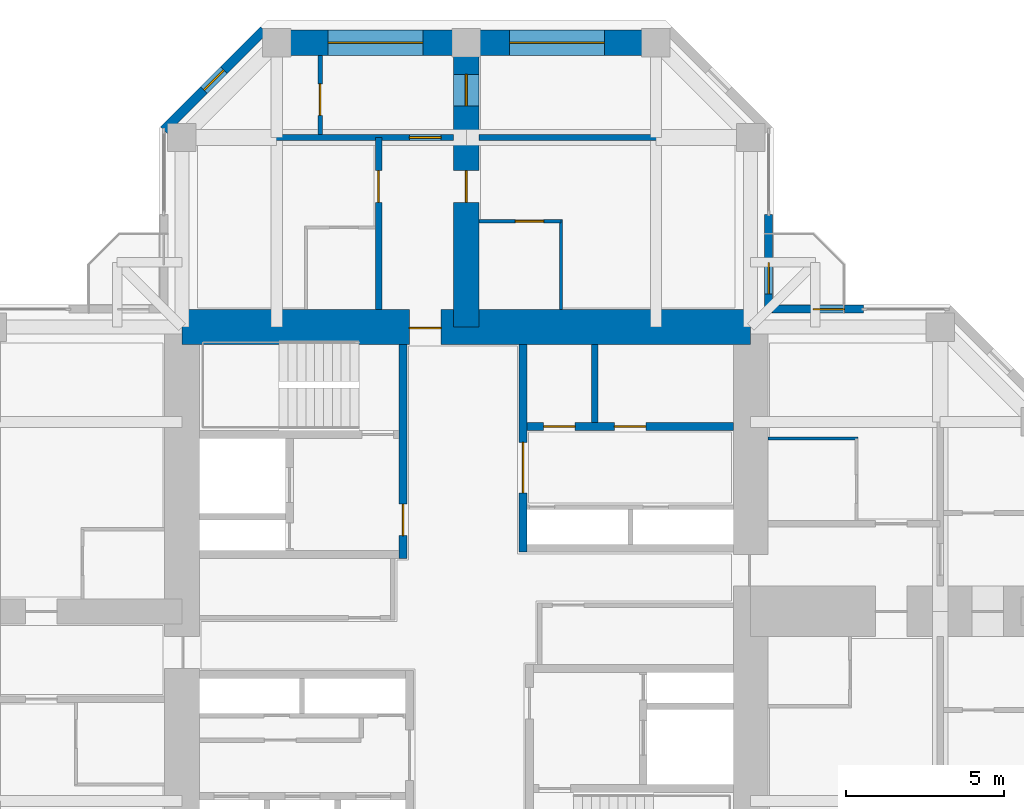
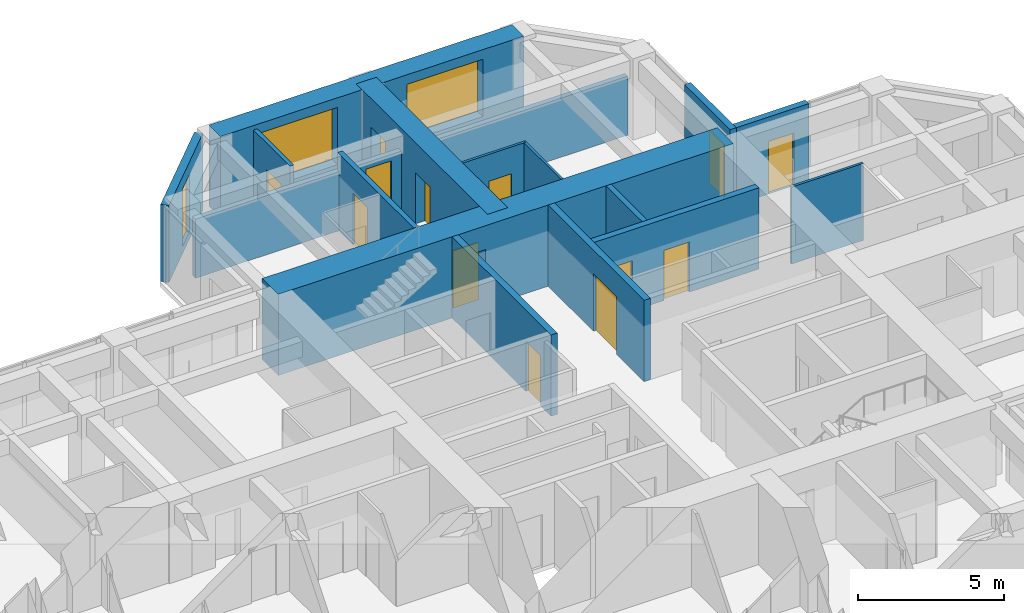
# One storey, part 12 of 14: 17 walls, 13 doors, 3 windows, 16 openings.
"""IFC4 building model written with IfcOpenShell, lengths in metres."""

from ifc_helpers import new_model, si_unit, direction, frame, frame_2d, origin, place, context, subcontext, project, spatial, rectangle, hollow_rectangle, extrude, material, layer, layer_set, constituent, constituent_set, type_object, element, fill, save


model = new_model("IFC4")

# Units and contexts
model_context = context("Model", 3, precision=1e-05, world=origin(), true_north=direction((0.0, 1.0)))
body_context = subcontext(model_context, "Body", "Model", "MODEL_VIEW")
ifc_project = project(units=[si_unit("LENGTHUNIT", "METRE"), si_unit("AREAUNIT", "SQUARE_METRE"), si_unit("VOLUMEUNIT", "CUBIC_METRE"), si_unit("PLANEANGLEUNIT", "RADIAN"), si_unit("MASSUNIT", "GRAM", prefix="KILO")], contexts=[model_context])

# Site, building, storey
site_placement = place(None, origin())
site = spatial("IfcSite", under=ifc_project, at=site_placement, CompositionType="ELEMENT")
building_placement = place(site_placement, origin())
building = spatial("IfcBuilding", under=site, at=building_placement, Name="Torre Cruceta", CompositionType="ELEMENT")
storey_placement = place(building_placement, frame((0.0, 0.0, 172.89990234375)))
storey = spatial("IfcBuildingStorey", under=building, at=storey_placement, Name="L42", CompositionType="ELEMENT", Elevation=172.89990234375)

# Wall
ifc_material_1 = material(Name="Water-resistant plasterboard on steel studs", Category="steel")
ifc_layer_1 = layer(ifc_material_1, 0.10009765625)
ifc_layer_set_1 = layer_set([ifc_layer_1], Name="Water-resistant plasterboard on steel studs")
wall_type_1 = type_object("IfcWallType", Name="BATHROOM WALL 100", PredefinedType="PARTITIONING", material=ifc_layer_set_1)
wall_1_placement = place(storey_placement, frame((3.0, 9.550048828125, 0.0), z_axis=(0.0, 0.0, 1.0), x_axis=(0.0, 1.0, 0.0)))
element("IfcWall", 1, at=wall_1_placement, inside=storey, type_object=wall_type_1, Name="PT4 L42-N-U1RBB", PredefinedType="PARTITIONING", context=body_context, shape_type="SweptSolid", body=[
    extrude(rectangle(XDim=2.849853515625, YDim=0.10009765625, at=frame_2d((1.4248046875, 0.0))), origin(), (0.0, 0.0, 1.0), 3.22021484375),
])

# Wall, opening, door
wall_2_placement = place(storey_placement, frame((3.0, 12.35009765625, 0.0), z_axis=(0.0, 0.0, 1.0), x_axis=(-1.0, 0.0, 0.0)))
wall_2 = element("IfcWall", 2, at=wall_2_placement, inside=storey, type_object=wall_type_1, Name="PT4 L42-N-U1RBS", PredefinedType="PARTITIONING", context=body_context, shape_type="SweptSolid", body=[
    extrude(rectangle(XDim=2.60009765625, YDim=0.10009765625, at=frame_2d((1.300048828125, 0.0))), origin(), (0.0, 0.0, 1.0), 3.22021484375),
])
opening_1_placement = place(wall_2_placement, frame((0.550048828125, 0.0, 0.0)))
opening_1 = element("IfcOpeningElement", 3, at=opening_1_placement, cuts=wall_2, Name="Opening D7", PredefinedType="OPENING", context=body_context, shape_type="SweptSolid", body=[
    extrude(rectangle(XDim=0.89990234375, YDim=2.10009765625, at=frame_2d((0.449951171875, 1.050048828125))), frame((0.0, 0.06005859375, 0.0), z_axis=(0.0, -1.0, 0.0), x_axis=(1.0, 0.0, 0.0)), (0.0, 0.0, 1.0), 0.1201171875),
])
ifc_material_2 = material(Name="Timber door", Category="wood")
door_type_1 = type_object("IfcDoorType", Name="BATHROOM DOOR 900X2100", OperationType="SINGLE_SWING_LEFT", PredefinedType="DOOR", material=ifc_material_2)
door_1_placement = place(opening_1_placement, origin())
door_1 = element("IfcDoor", 4, at=door_1_placement, inside=storey, type_object=door_type_1, Name="D7 L42-N-U1RBS-D1", OperationType="SINGLE_SWING_LEFT", OverallHeight=2.10009765625, OverallWidth=0.89990234375, PredefinedType="DOOR", context=body_context, shape_type="SweptSolid", body=[
    extrude(rectangle(XDim=0.89990234375, YDim=2.10009765625, at=frame_2d((0.449951171875, 1.050048828125))), frame((0.0, 0.02490234375, 0.0), z_axis=(0.0, -1.0, 0.0), x_axis=(1.0, 0.0, 0.0)), (0.0, 0.0, 1.0), 0.050048828125),
])
fill(opening_1, door_1)

# Wall
wall_3_placement = place(storey_placement, frame((9.550048828125, 5.47509765625, 0.0), z_axis=(0.0, 0.0, 1.0), x_axis=(1.0, 0.0, 0.0)))
element("IfcWall", 5, at=wall_3_placement, inside=storey, type_object=wall_type_1, Name="PT4 L42-E-U1LBB", PredefinedType="PARTITIONING", context=body_context, shape_type="SweptSolid", body=[
    extrude(rectangle(XDim=2.849853515625, YDim=0.10009765625, at=frame_2d((1.4248046875, 0.0))), origin(), (0.0, 0.0, 1.0), 3.22021484375),
])

# Wall, opening, door
ifc_material_3 = material(Name="Concrete G60 (fck 60 MPa)", Category="concrete")
ifc_layer_2 = layer(ifc_material_3, 0.25)
ifc_layer_set_2 = layer_set([ifc_layer_2], Name="Concrete G60 (fck 60 MPa)")
wall_type_2 = type_object("IfcWallType", Name="CORE INNER WALL 250 G60", PredefinedType="SHEAR", material=ifc_layer_set_2)
wall_4_placement = place(storey_placement, frame((1.800048828125, 1.875, 0.0), z_axis=(0.0, 0.0, 1.0), x_axis=(0.0, 1.0, 0.0)))
wall_4 = element("IfcWall", 6, at=wall_4_placement, inside=storey, type_object=wall_type_2, Name="CW4 L42 NE-CU", PredefinedType="SHEAR", context=body_context, shape_type="SweptSolid", body=[
    extrude(rectangle(XDim=6.574951171875, YDim=0.25, at=frame_2d((3.28759765625, 0.0))), origin(), (0.0, 0.0, 1.0), 3.400146484375),
])
opening_2_placement = place(wall_4_placement, frame((1.875, 0.0, 0.0)))
opening_2 = element("IfcOpeningElement", 7, at=opening_2_placement, cuts=wall_4, Name="Opening D15", PredefinedType="OPENING", context=body_context, shape_type="SweptSolid", body=[
    extrude(rectangle(XDim=1.60009765625, YDim=2.39990234375, at=frame_2d((0.800048828125, 1.199951171875))), frame((0.0, 0.135009765625, 0.0), z_axis=(0.0, -1.0, 0.0), x_axis=(1.0, 0.0, 0.0)), (0.0, 0.0, 1.0), 0.27001953125),
])
ifc_material_4 = material(Name="Steel DX51D", Category="steel")
ifc_constituent_1 = constituent(ifc_material_4, Name="Leaf and frame")
ifc_material_5 = material(Name="Polyester powder coating", Category="paint")
ifc_constituent_2 = constituent(ifc_material_5, Name="Finish")
ifc_constituent_set_1 = constituent_set(constituents=[ifc_constituent_1, ifc_constituent_2], Name="Steel fire door")
door_type_2 = type_object("IfcDoorType", Name="CORE ROOM DOUBLE DOOR 1600X2400", OperationType="DOUBLE_DOOR_SINGLE_SWING", PredefinedType="DOOR", material=ifc_constituent_set_1)
door_2_placement = place(opening_2_placement, frame((1.60009765625, 0.0, 0.0), z_axis=(0.0, 0.0, 1.0), x_axis=(-1.0, 0.0, 0.0)))
door_2 = element("IfcDoor", 8, at=door_2_placement, inside=storey, type_object=door_type_2, Name="D15 L42 NE-LOBBY", OperationType="DOUBLE_DOOR_SINGLE_SWING", OverallHeight=2.39990234375, OverallWidth=1.60009765625, PredefinedType="DOOR", context=body_context, shape_type="SweptSolid", body=[
    extrude(rectangle(XDim=1.60009765625, YDim=2.39990234375, at=frame_2d((0.800048828125, 1.199951171875))), frame((0.0, 0.025146484375, 0.0), z_axis=(0.0, -1.0, 0.0), x_axis=(1.0, 0.0, 0.0)), (0.0, 0.0, 1.0), 0.050048828125),
])
fill(opening_2, door_2)

# Wall, openings, doors
wall_5_placement = place(storey_placement, frame((1.925048828125, 5.85009765625, 0.0), z_axis=(0.0, 0.0, 1.0), x_axis=(1.0, 0.0, 0.0)))
wall_5 = element("IfcWall", 9, at=wall_5_placement, inside=storey, type_object=wall_type_2, Name="CW4 L42 NE-LV", PredefinedType="SHEAR", context=body_context, shape_type="SweptSolid", body=[
    extrude(rectangle(XDim=6.52490234375, YDim=0.25, at=frame_2d((3.262451171875, 0.0))), origin(), (0.0, 0.0, 1.0), 3.400146484375),
])
opening_3_placement = place(wall_5_placement, frame((0.520751953125, 0.0, 0.0)))
opening_3 = element("IfcOpeningElement", 10, at=opening_3_placement, cuts=wall_5, Name="Opening D3", PredefinedType="OPENING", context=body_context, shape_type="SweptSolid", body=[
    extrude(rectangle(XDim=1.0, YDim=2.10009765625, at=frame_2d((0.5, 1.050048828125))), frame((0.0, 0.135009765625, 0.0), z_axis=(0.0, -1.0, 0.0), x_axis=(1.0, 0.0, 0.0)), (0.0, 0.0, 1.0), 0.27001953125),
])
opening_4_placement = place(wall_5_placement, frame((2.762451171875, 0.0, 0.0)))
opening_4 = element("IfcOpeningElement", 11, at=opening_4_placement, cuts=wall_5, Name="Opening D3", PredefinedType="OPENING", context=body_context, shape_type="SweptSolid", body=[
    extrude(rectangle(XDim=1.0, YDim=2.10009765625, at=frame_2d((0.5, 1.050048828125))), frame((0.0, 0.135009765625, 0.0), z_axis=(0.0, -1.0, 0.0), x_axis=(1.0, 0.0, 0.0)), (0.0, 0.0, 1.0), 0.27001953125),
])
ifc_material_6 = material(Name="Steel DX51D", Category="steel")
ifc_constituent_3 = constituent(ifc_material_6, Name="Leaf and frame")
ifc_material_7 = material(Name="Polyester powder coating", Category="paint")
ifc_constituent_4 = constituent(ifc_material_7, Name="Finish")
ifc_constituent_set_2 = constituent_set(constituents=[ifc_constituent_3, ifc_constituent_4], Name="Steel fire door")
door_type_3 = type_object("IfcDoorType", Name="FIRE DOOR 1000X2100", OperationType="SINGLE_SWING_LEFT", PredefinedType="DOOR", material=ifc_constituent_set_2)
door_3_placement = place(opening_3_placement, origin())
door_3 = element("IfcDoor", 12, at=door_3_placement, inside=storey, type_object=door_type_3, Name="D3 L42 NE-HR1", OperationType="SINGLE_SWING_LEFT", OverallHeight=2.10009765625, OverallWidth=1.0, PredefinedType="DOOR", context=body_context, shape_type="SweptSolid", body=[
    extrude(rectangle(XDim=1.0, YDim=2.10009765625, at=frame_2d((0.5, 1.050048828125))), frame((0.0, 0.02490234375, 0.0), z_axis=(0.0, -1.0, 0.0), x_axis=(1.0, 0.0, 0.0)), (0.0, 0.0, 1.0), 0.050048828125),
])
fill(opening_3, door_3)
door_4_placement = place(opening_4_placement, origin())
door_4 = element("IfcDoor", 13, at=door_4_placement, inside=storey, type_object=door_type_3, Name="D3 L42 NE-HR2", OperationType="SINGLE_SWING_LEFT", OverallHeight=2.10009765625, OverallWidth=1.0, PredefinedType="DOOR", context=body_context, shape_type="SweptSolid", body=[
    extrude(rectangle(XDim=1.0, YDim=2.10009765625, at=frame_2d((0.5, 1.050048828125))), frame((0.0, 0.02490234375, 0.0), z_axis=(0.0, -1.0, 0.0), x_axis=(1.0, 0.0, 0.0)), (0.0, 0.0, 1.0), 0.050048828125),
])
fill(opening_4, door_4)

# Wall, opening, door
wall_6_placement = place(storey_placement, frame((-2.0, 1.675048828125, 0.0), z_axis=(0.0, 0.0, 1.0), x_axis=(0.0, 1.0, 0.0)))
wall_6 = element("IfcWall", 14, at=wall_6_placement, inside=storey, type_object=wall_type_2, Name="CW4 L42 NW-CU", PredefinedType="SHEAR", context=body_context, shape_type="SweptSolid", body=[
    extrude(rectangle(XDim=6.77490234375, YDim=0.25, at=frame_2d((3.387451171875, 0.0))), origin(), (0.0, 0.0, 1.0), 3.400146484375),
])
opening_5_placement = place(wall_6_placement, frame((0.72509765625, 0.0, 0.0)))
opening_5 = element("IfcOpeningElement", 15, at=opening_5_placement, cuts=wall_6, Name="Opening D3", PredefinedType="OPENING", context=body_context, shape_type="SweptSolid", body=[
    extrude(rectangle(XDim=1.0, YDim=2.10009765625, at=frame_2d((0.5, 1.050048828125))), frame((0.0, 0.135009765625, 0.0), z_axis=(0.0, -1.0, 0.0), x_axis=(1.0, 0.0, 0.0)), (0.0, 0.0, 1.0), 0.27001953125),
])
door_5_placement = place(opening_5_placement, origin())
door_5 = element("IfcDoor", 16, at=door_5_placement, inside=storey, type_object=door_type_3, Name="D3 L42 NW-LOBBY", OperationType="SINGLE_SWING_LEFT", OverallHeight=2.10009765625, OverallWidth=1.0, PredefinedType="DOOR", context=body_context, shape_type="SweptSolid", body=[
    extrude(rectangle(XDim=1.0, YDim=2.10009765625, at=frame_2d((0.5, 1.050048828125))), frame((0.0, 0.02490234375, 0.0), z_axis=(0.0, -1.0, 0.0), x_axis=(1.0, 0.0, 0.0)), (0.0, 0.0, 1.0), 0.050048828125),
])
fill(opening_5, door_5)

ifc_material_8 = material(Name="Concrete G60 (fck 60 MPa)", Category="concrete")
ifc_layer_3 = layer(ifc_material_8, 1.10009765625)
ifc_layer_set_3 = layer_set([ifc_layer_3], Name="Concrete G60 (fck 60 MPa)")
wall_type_3 = type_object("IfcWallType", Name="CORE WALL 1100 G60", PredefinedType="SHEAR", material=ifc_layer_set_3)
wall_7_placement = place(storey_placement, frame((9.0, 9.0, 0.0), z_axis=(0.0, 0.0, 1.0), x_axis=(-1.0, 0.0, 0.0)))
wall_7 = element("IfcWall", 17, at=wall_7_placement, inside=storey, type_object=wall_type_3, Name="CW2 L42 CW-N", PredefinedType="SHEAR", context=body_context, shape_type="SweptSolid", body=[
    extrude(rectangle(XDim=18.0, YDim=1.10009765625, at=frame_2d((9.0, 0.0))), origin(), (0.0, 0.0, 1.0), 3.400146484375),
])
opening_6_placement = place(wall_7_placement, frame((9.800048828125, 0.0, 0.0)))
opening_6 = element("IfcOpeningElement", 18, at=opening_6_placement, cuts=wall_7, Name="Opening D4", PredefinedType="OPENING", context=body_context, shape_type="SweptSolid", body=[
    extrude(rectangle(XDim=1.0, YDim=2.39990234375, at=frame_2d((0.5, 1.199951171875))), frame((0.0, 0.56005859375, 0.0), z_axis=(0.0, -1.0, 0.0), x_axis=(1.0, 0.0, 0.0)), (0.0, 0.0, 1.0), 1.1201171875),
])
ifc_material_9 = material(Name="Steel DX51D", Category="steel")
ifc_constituent_5 = constituent(ifc_material_9, Name="Leaf and frame")
ifc_material_10 = material(Name="Polyester powder coating", Category="paint")
ifc_constituent_6 = constituent(ifc_material_10, Name="Finish")
ifc_constituent_set_3 = constituent_set(constituents=[ifc_constituent_5, ifc_constituent_6], Name="Steel fire door")
door_type_4 = type_object("IfcDoorType", Name="CORE ARM DOOR 1000X2400", OperationType="SINGLE_SWING_RIGHT", PredefinedType="DOOR", material=ifc_constituent_set_3)
door_6_placement = place(opening_6_placement, origin())
door_6 = element("IfcDoor", 19, at=door_6_placement, inside=storey, type_object=door_type_4, Name="D4 L42 CW-N", OperationType="SINGLE_SWING_RIGHT", OverallHeight=2.39990234375, OverallWidth=1.0, PredefinedType="DOOR", context=body_context, shape_type="SweptSolid", body=[
    extrude(rectangle(XDim=1.0, YDim=2.39990234375, at=frame_2d((0.5, 1.199951171875))), frame((0.0, 0.05517578125, 0.0), z_axis=(0.0, -1.0, 0.0), x_axis=(1.0, 0.0, 0.0)), (0.0, 0.0, 1.0), 0.050048828125),
])
fill(opening_6, door_6)

ifc_material_11 = material(Name="Concrete G25 (fck 25 MPa)", Category="concrete")
ifc_layer_4 = layer(ifc_material_11, 0.199951171875)
ifc_layer_set_4 = layer_set([ifc_layer_4], Name="Concrete G25 (fck 25 MPa)")
wall_type_4 = type_object("IfcWallType", Name="CORRIDOR WALL 200", PredefinedType="SOLIDWALL", material=ifc_layer_set_4)
wall_8_placement = place(storey_placement, frame((-2.77490234375, 9.550048828125, 0.0), z_axis=(0.0, 0.0, 1.0), x_axis=(0.0, 1.0, 0.0)))
wall_8 = element("IfcWall", 20, at=wall_8_placement, inside=storey, type_object=wall_type_4, Name="PT3 L42-N-CL", PredefinedType="SOLIDWALL", context=body_context, shape_type="SweptSolid", body=[
    extrude(rectangle(XDim=5.449951171875, YDim=0.199951171875, at=frame_2d((2.72509765625, 0.0))), origin(), (0.0, 0.0, 1.0), 3.22021484375),
])
opening_7_placement = place(wall_8_placement, frame((3.39990234375, 0.0, 0.0)))
opening_7 = element("IfcOpeningElement", 21, at=opening_7_placement, cuts=wall_8, Name="Opening D6", PredefinedType="OPENING", context=body_context, shape_type="SweptSolid", body=[
    extrude(rectangle(XDim=1.0, YDim=2.14990234375, at=frame_2d((0.5, 1.074951171875))), frame((0.0, 0.10986328125, 0.0), z_axis=(0.0, -1.0, 0.0), x_axis=(1.0, 0.0, 0.0)), (0.0, 0.0, 1.0), 0.219970703125),
])
ifc_material_12 = material(Name="Timber fire door", Category="wood")
door_type_5 = type_object("IfcDoorType", Name="UNIT ENTRANCE DOOR 1000X2150", OperationType="SINGLE_SWING_LEFT", PredefinedType="DOOR", material=ifc_material_12)
door_7_placement = place(opening_7_placement, origin())
door_7 = element("IfcDoor", 22, at=door_7_placement, inside=storey, type_object=door_type_5, Name="D6 L42-N-CL-D1", OperationType="SINGLE_SWING_LEFT", OverallHeight=2.14990234375, OverallWidth=1.0, PredefinedType="DOOR", context=body_context, shape_type="SweptSolid", body=[
    extrude(rectangle(XDim=1.0, YDim=2.14990234375, at=frame_2d((0.5, 1.074951171875))), frame((0.0, 0.02490234375, 0.0), z_axis=(0.0, -1.0, 0.0), x_axis=(1.0, 0.0, 0.0)), (0.0, 0.0, 1.0), 0.050048828125),
])
fill(opening_7, door_7)

# Wall, opening, window
ifc_material_13 = material(Name="Concrete G30 (fck 30 MPa)", Category="concrete")
ifc_layer_5 = layer(ifc_material_13, 0.300048828125)
ifc_layer_set_5 = layer_set([ifc_layer_5], Name="Concrete G30 (fck 30 MPa)")
wall_type_5 = type_object("IfcWallType", Name="EXPOSED CONCRETE FACADE WALL 300", PredefinedType="SOLIDWALL", material=ifc_layer_set_5)
wall_9_placement = place(storey_placement, frame((-6.406005859375, 18.39990234375, 0.0), z_axis=(0.0, 0.0, 1.0), x_axis=(-0.707134062067, -0.707079499254, 0.0)))
wall_9 = element("IfcWall", 23, at=wall_9_placement, inside=storey, type_object=wall_type_5, Name="EW1 facade wall L42 N chamfer 08", PredefinedType="SOLIDWALL", context=body_context, shape_type="SweptSolid", body=[
    extrude(rectangle(XDim=4.474609375, YDim=0.300048828125, at=frame_2d((2.2373046875, 0.0))), origin(), (0.0, 0.0, 1.0), 3.22021484375),
])
opening_8_placement = place(wall_9_placement, frame((1.787109375, 0.0, 0.300048828125)))
opening_8 = element("IfcOpeningElement", 24, at=opening_8_placement, cuts=wall_9, Name="Opening WN5", PredefinedType="OPENING", context=body_context, shape_type="SweptSolid", body=[
    extrude(rectangle(XDim=0.89990234375, YDim=2.39990234375, at=frame_2d((0.449951171875, 1.199951171875))), frame((0.0, 0.159912109375, 0.0), z_axis=(0.0, -1.0, 0.0), x_axis=(1.0, 0.0, 0.0)), (0.0, 0.0, 1.0), 0.320068359375),
])
ifc_material_14 = material(Name="Aluminium window frame", Category="aluminium")
ifc_constituent_7 = constituent(ifc_material_14, Name="Frame")
ifc_material_15 = material(Name="Laminated insulating glass unit, low-iron clear", Category="glass")
ifc_constituent_8 = constituent(ifc_material_15, Name="Glazing")
ifc_constituent_set_4 = constituent_set(constituents=[ifc_constituent_7, ifc_constituent_8], Name="Aluminium window")
window_type_1 = type_object("IfcWindowType", Name="CHAMFER SLOT WINDOW 900X2400", PartitioningType="SINGLE_PANEL", PredefinedType="WINDOW", material=ifc_constituent_set_4)
window_1_placement = place(opening_8_placement, origin())
window_1 = element("IfcWindow", 25, at=window_1_placement, inside=storey, type_object=window_type_1, Name="WN5 L42 N 1", OverallHeight=2.39990234375, OverallWidth=0.89990234375, PartitioningType="SINGLE_PANEL", PredefinedType="WINDOW", context=body_context, shape_type="SweptSolid", body=[
    extrude(hollow_rectangle(XDim=0.89990234375, YDim=2.39990234375, WallThickness=0.06005859375, at=frame_2d((0.449951171875, 1.199951171875))), frame((0.0, 0.030029296875, 0.0), z_axis=(0.0, -1.0, 0.0), x_axis=(1.0, 0.0, 0.0)), (0.0, 0.0, 1.0), 0.06005859375),
    extrude(rectangle(XDim=0.77880859375, YDim=2.27880859375, at=frame_2d((0.449951171875, 1.199951171875))), frame((0.0, 0.030029296875, 0.0), z_axis=(0.0, -1.0, 0.0), x_axis=(1.0, 0.0, 0.0)), (0.0, 0.0, 1.0), 0.06005859375),
])
fill(opening_8, window_1)

# Wall
ifc_material_16 = material(Name="Concrete G35 (fck 35 MPa)", Category="concrete")
ifc_layer_6 = layer(ifc_material_16, 0.199951171875)
ifc_layer_set_6 = layer_set([ifc_layer_6], Name="Concrete G35 (fck 35 MPa)")
wall_type_6 = type_object("IfcWallType", Name="LIFT SHAFT WALL 200", PredefinedType="PARTITIONING", material=ifc_layer_set_6)
wall_10_placement = place(storey_placement, frame((4.066650390625, 5.97509765625, 0.0), z_axis=(0.0, 0.0, 1.0), x_axis=(0.0, 1.0, 0.0)))
element("IfcWall", 26, at=wall_10_placement, inside=storey, type_object=wall_type_6, Name="SW1 L42 NE-LS1", PredefinedType="PARTITIONING", context=body_context, shape_type="SweptSolid", body=[
    extrude(rectangle(XDim=2.474853515625, YDim=0.199951171875, at=frame_2d((1.2373046875, 0.0))), origin(), (0.0, 0.0, 1.0), 3.400146484375),
])

# Wall, openings, windows
ifc_material_17 = material(Name="Concrete G60 (fck 60 MPa)", Category="concrete")
ifc_layer_7 = layer(ifc_material_17, 0.800048828125)
ifc_layer_set_7 = layer_set([ifc_layer_7], Name="Concrete G60 (fck 60 MPa)")
wall_type_7 = type_object("IfcWallType", Name="NOSE WALL 800 G60", PredefinedType="SHEAR", material=ifc_layer_set_7)
wall_11_placement = place(storey_placement, frame((6.0, 18.0, 0.0), z_axis=(0.0, 0.0, 1.0), x_axis=(-1.0, 0.0, 0.0)))
wall_11 = element("IfcWall", 27, at=wall_11_placement, inside=storey, type_object=wall_type_7, Name="NW2 nose wall L42 N", PredefinedType="SHEAR", context=body_context, shape_type="SweptSolid", body=[
    extrude(rectangle(XDim=12.0, YDim=0.800048828125, at=frame_2d((6.0, 0.0))), origin(), (0.0, 0.0, 1.0), 3.400146484375),
])
opening_9_placement = place(wall_11_placement, frame((1.625, 0.0, 0.60009765625)))
opening_9 = element("IfcOpeningElement", 28, at=opening_9_placement, cuts=wall_11, Name="Opening WN6", PredefinedType="OPENING", context=body_context, shape_type="SweptSolid", body=[
    extrude(rectangle(XDim=3.0, YDim=2.39990234375, at=frame_2d((1.5, 1.199951171875))), frame((0.0, 0.409912109375, 0.0), z_axis=(0.0, -1.0, 0.0), x_axis=(1.0, 0.0, 0.0)), (0.0, 0.0, 1.0), 0.820068359375),
])
opening_10_placement = place(wall_11_placement, frame((7.375, 0.0, 0.60009765625)))
opening_10 = element("IfcOpeningElement", 29, at=opening_10_placement, cuts=wall_11, Name="Opening WN6", PredefinedType="OPENING", context=body_context, shape_type="SweptSolid", body=[
    extrude(rectangle(XDim=3.0, YDim=2.39990234375, at=frame_2d((1.5, 1.199951171875))), frame((0.0, 0.409912109375, 0.0), z_axis=(0.0, -1.0, 0.0), x_axis=(1.0, 0.0, 0.0)), (0.0, 0.0, 1.0), 0.820068359375),
])
ifc_material_18 = material(Name="Aluminium window frame", Category="aluminium")
ifc_constituent_9 = constituent(ifc_material_18, Name="Frame")
ifc_material_19 = material(Name="Laminated insulating glass unit, low-iron clear", Category="glass")
ifc_constituent_10 = constituent(ifc_material_19, Name="Glazing")
ifc_constituent_set_5 = constituent_set(constituents=[ifc_constituent_9, ifc_constituent_10], Name="Aluminium window")
window_type_2 = type_object("IfcWindowType", Name="NOSE WALL WINDOW 3000X2400", PartitioningType="SINGLE_PANEL", PredefinedType="WINDOW", material=ifc_constituent_set_5)
window_2_placement = place(opening_9_placement, origin())
window_2 = element("IfcWindow", 30, at=window_2_placement, inside=storey, type_object=window_type_2, Name="WN6 L42 N 1", OverallHeight=2.39990234375, OverallWidth=3.0, PartitioningType="SINGLE_PANEL", PredefinedType="WINDOW", context=body_context, shape_type="SweptSolid", body=[
    extrude(hollow_rectangle(XDim=3.0, YDim=2.39990234375, WallThickness=0.06005859375, at=frame_2d((1.5, 1.199951171875))), frame((0.0, 0.030029296875, 0.0), z_axis=(0.0, -1.0, 0.0), x_axis=(1.0, 0.0, 0.0)), (0.0, 0.0, 1.0), 0.06005859375),
    extrude(rectangle(XDim=2.87890625, YDim=2.27880859375, at=frame_2d((1.5, 1.199951171875))), frame((0.0, 0.030029296875, 0.0), z_axis=(0.0, -1.0, 0.0), x_axis=(1.0, 0.0, 0.0)), (0.0, 0.0, 1.0), 0.06005859375),
])
fill(opening_9, window_2)
window_3_placement = place(opening_10_placement, origin())
window_3 = element("IfcWindow", 31, at=window_3_placement, inside=storey, type_object=window_type_2, Name="WN6 L42 N 2", OverallHeight=2.39990234375, OverallWidth=3.0, PartitioningType="SINGLE_PANEL", PredefinedType="WINDOW", context=body_context, shape_type="SweptSolid", body=[
    extrude(hollow_rectangle(XDim=3.0, YDim=2.39990234375, WallThickness=0.06005859375, at=frame_2d((1.5, 1.199951171875))), frame((0.0, 0.030029296875, 0.0), z_axis=(0.0, -1.0, 0.0), x_axis=(1.0, 0.0, 0.0)), (0.0, 0.0, 1.0), 0.06005859375),
    extrude(rectangle(XDim=2.87890625, YDim=2.27880859375, at=frame_2d((1.5, 1.199951171875))), frame((0.0, 0.030029296875, 0.0), z_axis=(0.0, -1.0, 0.0), x_axis=(1.0, 0.0, 0.0)), (0.0, 0.0, 1.0), 0.06005859375),
])
fill(opening_10, window_3)

# Wall, opening, door
ifc_material_20 = material(Name="Plasterboard on steel studs", Category="steel")
ifc_layer_8 = layer(ifc_material_20, 0.14990234375)
ifc_layer_set_8 = layer_set([ifc_layer_8], Name="Plasterboard on steel studs")
wall_type_8 = type_object("IfcWallType", Name="PARTITION 150", PredefinedType="PARTITIONING", material=ifc_layer_set_8)
wall_12_placement = place(storey_placement, frame((-4.625, 15.10009765625, 0.0), z_axis=(0.0, 0.0, 1.0), x_axis=(0.0, 1.0, 0.0)))
wall_12 = element("IfcWall", 32, at=wall_12_placement, inside=storey, type_object=wall_type_8, Name="PT1 L42-N-ENDX", PredefinedType="PARTITIONING", context=body_context, shape_type="SweptSolid", body=[
    extrude(rectangle(XDim=2.5, YDim=0.14990234375, at=frame_2d((1.25, 0.0))), origin(), (0.0, 0.0, 1.0), 3.22021484375),
])
opening_11_placement = place(wall_12_placement, frame((0.60009765625, 0.0, 0.0)))
opening_11 = element("IfcOpeningElement", 33, at=opening_11_placement, cuts=wall_12, Name="Opening D3", PredefinedType="OPENING", context=body_context, shape_type="SweptSolid", body=[
    extrude(rectangle(XDim=1.0, YDim=2.10009765625, at=frame_2d((0.5, 1.050048828125))), frame((0.0, 0.0849609375, 0.0), z_axis=(0.0, -1.0, 0.0), x_axis=(1.0, 0.0, 0.0)), (0.0, 0.0, 1.0), 0.169921875),
])
door_8_placement = place(opening_11_placement, origin())
door_8 = element("IfcDoor", 34, at=door_8_placement, inside=storey, type_object=door_type_3, Name="D3 L42-N-ENDX-D1", OperationType="SINGLE_SWING_LEFT", OverallHeight=2.10009765625, OverallWidth=1.0, PredefinedType="DOOR", context=body_context, shape_type="SweptSolid", body=[
    extrude(rectangle(XDim=1.0, YDim=2.10009765625, at=frame_2d((0.5, 1.050048828125))), frame((0.0, 0.02490234375, 0.0), z_axis=(0.0, -1.0, 0.0), x_axis=(1.0, 0.0, 0.0)), (0.0, 0.0, 1.0), 0.050048828125),
])
fill(opening_11, door_8)

# Wall, openings, doors
ifc_material_21 = material(Name="Concrete G60 (fck 60 MPa)", Category="concrete")
ifc_layer_9 = layer(ifc_material_21, 0.800048828125)
ifc_layer_set_9 = layer_set([ifc_layer_9], Name="Concrete G60 (fck 60 MPa)")
wall_type_9 = type_object("IfcWallType", Name="SPINE WALL 800 G60", PredefinedType="SHEAR", material=ifc_layer_set_9)
wall_13_placement = place(storey_placement, frame((0.0, 9.0, 0.0), z_axis=(0.0, 0.0, 1.0), x_axis=(0.0, 1.0, 0.0)))
wall_13 = element("IfcWall", 35, at=wall_13_placement, inside=storey, type_object=wall_type_9, Name="SW4 spine wall L42 N", PredefinedType="SHEAR", context=body_context, shape_type="SweptSolid", body=[
    extrude(rectangle(XDim=9.0, YDim=0.800048828125, at=frame_2d((4.5, 0.0))), origin(), (0.0, 0.0, 1.0), 3.400146484375),
])
opening_12_placement = place(wall_13_placement, frame((3.949951171875, 0.0, 0.0)))
opening_12 = element("IfcOpeningElement", 36, at=opening_12_placement, cuts=wall_13, Name="Opening D6", PredefinedType="OPENING", context=body_context, shape_type="SweptSolid", body=[
    extrude(rectangle(XDim=1.0, YDim=2.14990234375, at=frame_2d((0.5, 1.074951171875))), frame((0.0, 0.409912109375, 0.0), z_axis=(0.0, -1.0, 0.0), x_axis=(1.0, 0.0, 0.0)), (0.0, 0.0, 1.0), 0.820068359375),
])
opening_13_placement = place(wall_13_placement, frame((7.0, 0.0, 0.0)))
opening_13 = element("IfcOpeningElement", 37, at=opening_13_placement, cuts=wall_13, Name="Opening D14", PredefinedType="OPENING", context=body_context, shape_type="SweptSolid", body=[
    extrude(rectangle(XDim=1.0, YDim=2.199951171875, at=frame_2d((0.5, 1.10009765625))), frame((0.0, 0.409912109375, 0.0), z_axis=(0.0, -1.0, 0.0), x_axis=(1.0, 0.0, 0.0)), (0.0, 0.0, 1.0), 0.820068359375),
])
ifc_material_22 = material(Name="Steel DX51D", Category="steel")
ifc_constituent_11 = constituent(ifc_material_22, Name="Leaf and frame")
ifc_material_23 = material(Name="Polyester powder coating", Category="paint")
ifc_constituent_12 = constituent(ifc_material_23, Name="Finish")
ifc_material_24 = material(Name="Fire-resisting glass", Category="glass")
ifc_constituent_13 = constituent(ifc_material_24, Name="Vision panel")
ifc_constituent_set_6 = constituent_set(constituents=[ifc_constituent_11, ifc_constituent_12, ifc_constituent_13], Name="Steel fire door with vision panel")
door_type_6 = type_object("IfcDoorType", Name="FIRE DOOR VISION PANEL 1000X2200", OperationType="SINGLE_SWING_RIGHT", PredefinedType="DOOR", material=ifc_constituent_set_6)
door_9_placement = place(opening_13_placement, origin())
door_9 = element("IfcDoor", 38, at=door_9_placement, inside=storey, type_object=door_type_6, Name="D14 L42-N-SP2", OperationType="SINGLE_SWING_RIGHT", OverallHeight=2.199951171875, OverallWidth=1.0, PredefinedType="DOOR", context=body_context, shape_type="SweptSolid", body=[
    extrude(rectangle(XDim=1.0, YDim=2.199951171875, at=frame_2d((0.5, 1.10009765625))), frame((0.0, 0.02490234375, 0.0), z_axis=(0.0, -1.0, 0.0), x_axis=(1.0, 0.0, 0.0)), (0.0, 0.0, 1.0), 0.050048828125),
])
fill(opening_13, door_9)
door_10_placement = place(opening_12_placement, frame((1.0, 0.0, 0.0), z_axis=(0.0, 0.0, 1.0), x_axis=(-1.0, 0.0, 0.0)))
door_10 = element("IfcDoor", 39, at=door_10_placement, inside=storey, type_object=door_type_5, Name="D6 L42-N-SP1", OperationType="SINGLE_SWING_RIGHT", OverallHeight=2.14990234375, OverallWidth=1.0, PredefinedType="DOOR", context=body_context, shape_type="SweptSolid", body=[
    extrude(rectangle(XDim=1.0, YDim=2.14990234375, at=frame_2d((0.5, 1.074951171875))), frame((0.0, 0.025146484375, 0.0), z_axis=(0.0, -1.0, 0.0), x_axis=(1.0, 0.0, 0.0)), (0.0, 0.0, 1.0), 0.050048828125),
])
fill(opening_12, door_10)

# Wall
ifc_material_25 = material(Name="Concrete G25 (fck 25 MPa)", Category="concrete")
ifc_layer_10 = layer(ifc_material_25, 0.199951171875)
ifc_layer_set_10 = layer_set([ifc_layer_10], Name="Concrete G25 (fck 25 MPa)")
wall_type_10 = type_object("IfcWallType", Name="UNIT SEPARATING WALL 200", PredefinedType="SOLIDWALL", material=ifc_layer_set_10)
wall_14_placement = place(storey_placement, frame((8.550048828125, 15.0, 0.0), z_axis=(0.0, 0.0, 1.0), x_axis=(-1.0, 0.0, 0.0)))
element("IfcWall", 40, at=wall_14_placement, inside=storey, type_object=wall_type_10, Name="PT2 L42-N-ENDa", PredefinedType="SOLIDWALL", context=body_context, shape_type="SweptSolid", body=[
    extrude(rectangle(XDim=8.150146484375, YDim=0.199951171875, at=frame_2d((4.0751953125, 0.0))), origin(), (0.0, 0.0, 1.0), 2.47021484375),
])

# Wall, opening, door
wall_15_placement = place(storey_placement, frame((-0.39990234375, 15.0, 0.0), z_axis=(0.0, 0.0, 1.0), x_axis=(-1.0, 0.0, 0.0)))
wall_15 = element("IfcWall", 41, at=wall_15_placement, inside=storey, type_object=wall_type_10, Name="PT2 L42-N-ENDb", PredefinedType="SOLIDWALL", context=body_context, shape_type="SweptSolid", body=[
    extrude(rectangle(XDim=8.150146484375, YDim=0.199951171875, at=frame_2d((4.0751953125, 0.0))), origin(), (0.0, 0.0, 1.0), 2.47021484375),
])
opening_14_placement = place(wall_15_placement, frame((0.39990234375, 0.0, 0.0)))
opening_14 = element("IfcOpeningElement", 42, at=opening_14_placement, cuts=wall_15, Name="Opening D14", PredefinedType="OPENING", context=body_context, shape_type="SweptSolid", body=[
    extrude(rectangle(XDim=1.0, YDim=2.199951171875, at=frame_2d((0.5, 1.10009765625))), frame((0.0, 0.10986328125, 0.0), z_axis=(0.0, -1.0, 0.0), x_axis=(1.0, 0.0, 0.0)), (0.0, 0.0, 1.0), 0.219970703125),
])
door_11_placement = place(opening_14_placement, frame((1.0, 0.0, 0.0), z_axis=(0.0, 0.0, 1.0), x_axis=(-1.0, 0.0, 0.0)))
door_11 = element("IfcDoor", 43, at=door_11_placement, inside=storey, type_object=door_type_6, Name="D14 L42-N-ENDb-D1", OperationType="SINGLE_SWING_RIGHT", OverallHeight=2.199951171875, OverallWidth=1.0, PredefinedType="DOOR", context=body_context, shape_type="SweptSolid", body=[
    extrude(rectangle(XDim=1.0, YDim=2.199951171875, at=frame_2d((0.5, 1.10009765625))), frame((0.0, 0.025146484375, 0.0), z_axis=(0.0, -1.0, 0.0), x_axis=(1.0, 0.0, 0.0)), (0.0, 0.0, 1.0), 0.050048828125),
])
fill(opening_14, door_11)

ifc_material_26 = material(Name="Concrete G30 (fck 30 MPa)", Category="concrete")
ifc_layer_11 = layer(ifc_material_26, 0.25)
ifc_layer_set_11 = layer_set([ifc_layer_11], Name="Concrete G30 (fck 30 MPa)")
wall_type_11 = type_object("IfcWallType", Name="WINTER GARDEN WALL 250", PredefinedType="SOLIDWALL", material=ifc_layer_set_11)
wall_16_placement = place(storey_placement, frame((12.570068359375, 9.570068359375, 0.0), z_axis=(0.0, 0.0, 1.0), x_axis=(-1.0, 0.0, 0.0)))
wall_16 = element("IfcWall", 44, at=wall_16_placement, inside=storey, type_object=wall_type_11, Name="EW2 winter garden wall L42 04", PredefinedType="SOLIDWALL", context=body_context, shape_type="SweptSolid", body=[
    extrude(rectangle(XDim=2.875, YDim=0.25, at=frame_2d((1.4375, 0.0))), origin(), (0.0, 0.0, 1.0), 3.22021484375),
])
opening_15_placement = place(wall_16_placement, frame((0.60009765625, 0.0, 0.0)))
opening_15 = element("IfcOpeningElement", 45, at=opening_15_placement, cuts=wall_16, Name="Opening D10", PredefinedType="OPENING", context=body_context, shape_type="SweptSolid", body=[
    extrude(rectangle(XDim=1.0, YDim=2.199951171875, at=frame_2d((0.5, 1.10009765625))), frame((0.0, 0.135009765625, 0.0), z_axis=(0.0, -1.0, 0.0), x_axis=(1.0, 0.0, 0.0)), (0.0, 0.0, 1.0), 0.27001953125),
])
ifc_material_27 = material(Name="Aluminium door frame", Category="aluminium")
ifc_constituent_14 = constituent(ifc_material_27, Name="Frame")
ifc_material_28 = material(Name="Laminated safety glass", Category="glass")
ifc_constituent_15 = constituent(ifc_material_28, Name="Glazing")
ifc_constituent_set_7 = constituent_set(constituents=[ifc_constituent_14, ifc_constituent_15], Name="Aluminium glazed door")
door_type_7 = type_object("IfcDoorType", Name="BALCONY DOOR 1000X2200", OperationType="SINGLE_SWING_RIGHT", PredefinedType="DOOR", material=ifc_constituent_set_7)
door_12_placement = place(opening_15_placement, origin())
door_12 = element("IfcDoor", 46, at=door_12_placement, inside=storey, type_object=door_type_7, Name="D10 balcony door L42 04", OperationType="SINGLE_SWING_RIGHT", OverallHeight=2.199951171875, OverallWidth=1.0, PredefinedType="DOOR", context=body_context, shape_type="SweptSolid", body=[
    extrude(hollow_rectangle(XDim=1.0, YDim=2.199951171875, WallThickness=0.06005859375, at=frame_2d((0.5, 1.10009765625))), frame((0.0, 0.02490234375, 0.0), z_axis=(0.0, -1.0, 0.0), x_axis=(1.0, 0.0, 0.0)), (0.0, 0.0, 1.0), 0.050048828125),
    extrude(rectangle(XDim=0.87890625, YDim=2.078857421875, at=frame_2d((0.5, 1.10009765625))), frame((0.0, 0.02490234375, 0.0), z_axis=(0.0, -1.0, 0.0), x_axis=(1.0, 0.0, 0.0)), (0.0, 0.0, 1.0), 0.050048828125),
])
fill(opening_15, door_12)

wall_17_placement = place(storey_placement, frame((9.570068359375, 9.445068359375, 0.0), z_axis=(0.0, 0.0, 1.0), x_axis=(0.0, 1.0, 0.0)))
wall_17 = element("IfcWall", 47, at=wall_17_placement, inside=storey, type_object=wall_type_11, Name="EW2 winter garden wall L42 05", PredefinedType="SOLIDWALL", context=body_context, shape_type="SweptSolid", body=[
    extrude(rectangle(XDim=3.125, YDim=0.25, at=frame_2d((1.5625, 0.0))), origin(), (0.0, 0.0, 1.0), 3.22021484375),
])
opening_16_placement = place(wall_17_placement, frame((0.60009765625, 0.0, 0.0)))
opening_16 = element("IfcOpeningElement", 48, at=opening_16_placement, cuts=wall_17, Name="Opening D10", PredefinedType="OPENING", context=body_context, shape_type="SweptSolid", body=[
    extrude(rectangle(XDim=1.0, YDim=2.199951171875, at=frame_2d((0.5, 1.10009765625))), frame((0.0, 0.135009765625, 0.0), z_axis=(0.0, -1.0, 0.0), x_axis=(1.0, 0.0, 0.0)), (0.0, 0.0, 1.0), 0.27001953125),
])
door_13_placement = place(opening_16_placement, origin())
door_13 = element("IfcDoor", 49, at=door_13_placement, inside=storey, type_object=door_type_7, Name="D10 balcony door L42 05", OperationType="SINGLE_SWING_LEFT", OverallHeight=2.199951171875, OverallWidth=1.0, PredefinedType="DOOR", context=body_context, shape_type="SweptSolid", body=[
    extrude(hollow_rectangle(XDim=1.0, YDim=2.199951171875, WallThickness=0.06005859375, at=frame_2d((0.5, 1.10009765625))), frame((0.0, 0.02490234375, 0.0), z_axis=(0.0, -1.0, 0.0), x_axis=(1.0, 0.0, 0.0)), (0.0, 0.0, 1.0), 0.050048828125),
    extrude(rectangle(XDim=0.87890625, YDim=2.078857421875, at=frame_2d((0.5, 1.10009765625))), frame((0.0, 0.02490234375, 0.0), z_axis=(0.0, -1.0, 0.0), x_axis=(1.0, 0.0, 0.0)), (0.0, 0.0, 1.0), 0.050048828125),
])
fill(opening_16, door_13)

save(model, "model.ifc")
